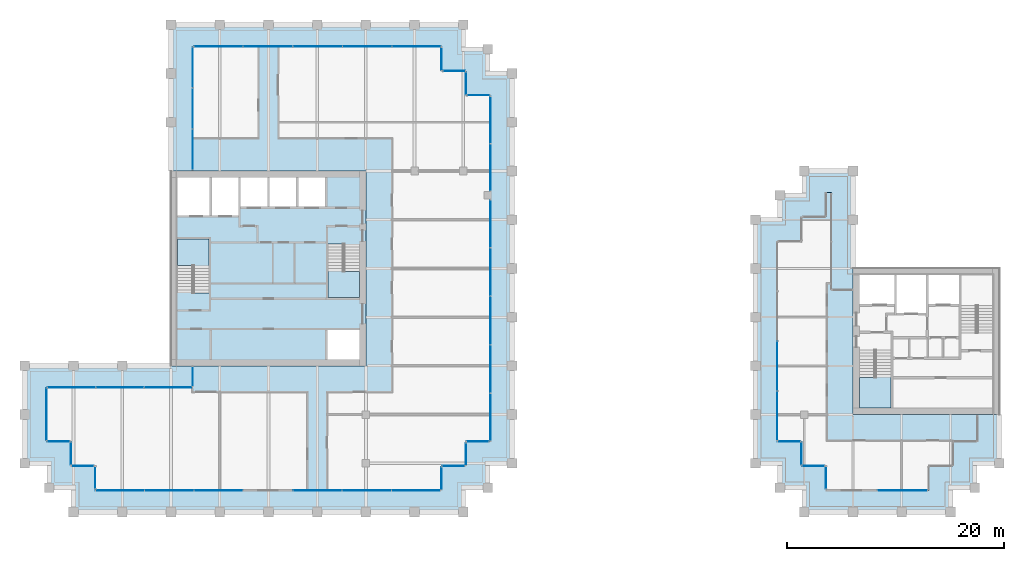
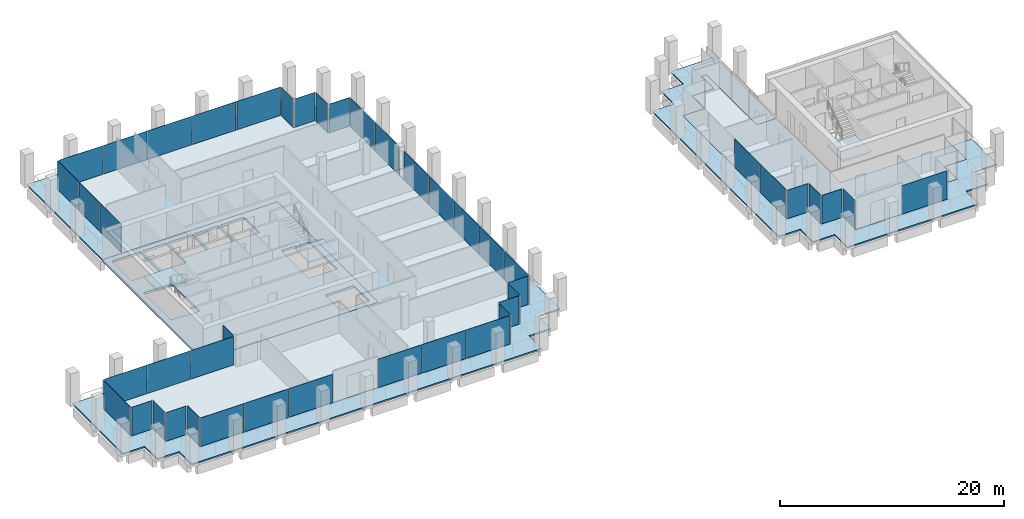
# One storey, part 34 of 40: 45 plates, 8 slabs, 30 elements without a shape of their own.
"""IFC4 building model written with IfcOpenShell, lengths in metres."""

from ifc_helpers import new_model, si_unit, direction, frame, origin, origin_2d, place, context, subcontext, project, spatial, polyline, rectangle, outline, extrude, material, layer, layer_set, type_object, element, aggregate, save


model = new_model("IFC4")

# Units and contexts
model_context = context("Model", 3, precision=1e-05, world=origin(), true_north=direction((0.0, 1.0)))
body_context = subcontext(model_context, "Body", "Model", "MODEL_VIEW")
ifc_project = project(units=[si_unit("LENGTHUNIT", "METRE"), si_unit("AREAUNIT", "SQUARE_METRE"), si_unit("VOLUMEUNIT", "CUBIC_METRE"), si_unit("PLANEANGLEUNIT", "RADIAN"), si_unit("MASSUNIT", "GRAM", prefix="KILO")], contexts=[model_context])

# Site, building, storey
site_placement = place(None, origin())
site = spatial("IfcSite", under=ifc_project, at=site_placement, CompositionType="ELEMENT")
building_placement = place(site_placement, origin())
building = spatial("IfcBuilding", under=site, at=building_placement, Name="Altepetl Exchange Towers", CompositionType="ELEMENT")
storey_placement = place(building_placement, frame((0.0, 0.0, 179.800048828125)))
storey = spatial("IfcBuildingStorey", under=building, at=storey_placement, Name="L45", CompositionType="ELEMENT", Elevation=179.800048828125)

# Slabs
ifc_material_1 = material(Name="Concrete C40/50", Category="concrete")
ifc_layer_1 = layer(ifc_material_1, 0.14990234375)
ifc_layer_set_1 = layer_set([ifc_layer_1], Name="Concrete C40/50")
slab_type_1 = type_object("IfcSlabType", Name="Composite floor slab 150", PredefinedType="FLOOR", material=ifc_layer_set_1)
slab_1_placement = place(storey_placement, frame((0.0, 0.0, -0.150146484375)))
element("IfcSlab", 1, at=slab_1_placement, inside=storey, type_object=slab_type_1, Name="slab:A:L45:strip0", PredefinedType="FLOOR", context=body_context, shape_type="SweptSolid", body=[
    extrude(outline(polyline([(42.5, 70.0), (42.5, 58.5), (58.5, 58.5), (58.5, 40.5), (42.5, 40.5), (42.5, 38.5), (29.0, 38.5), (29.0, 33.5), (31.25, 33.5), (31.25, 31.25), (33.5, 31.25), (33.5, 29.0), (65.5, 29.0), (65.5, 31.25), (67.75, 31.25), (67.75, 33.5), (70.0, 33.5), (70.0, 65.5), (67.75, 65.5), (67.75, 67.75), (65.5, 67.75), (65.5, 70.0), (42.5, 70.0)])), origin(), (0.0, 0.0, 1.0), 0.150146484375),
])
slab_2_placement = place(storey_placement, frame((0.0, 0.0, -0.150146484375)))
element("IfcSlab", 2, at=slab_2_placement, inside=storey, type_object=slab_type_1, Name="slab:B:L45:strip0", PredefinedType="FLOOR", context=body_context, shape_type="SweptSolid", body=[
    extrude(outline(polyline([(98.75, 31.25), (101.0, 31.25), (101.0, 29.0), (110.5, 29.0), (110.5, 31.25), (112.75, 31.25), (112.75, 33.5), (115.0, 33.5), (115.0, 36.0), (103.5, 36.0), (103.5, 47.5), (101.5, 47.5), (101.5, 56.5), (101.0, 56.5), (101.0, 54.25), (98.75, 54.25), (98.75, 52.0), (96.5, 52.0), (96.5, 33.5), (98.75, 33.5), (98.75, 31.25)])), origin(), (0.0, 0.0, 1.0), 0.150146484375),
])
ifc_layer_2 = layer(ifc_material_1, 0.25)
ifc_layer_set_2 = layer_set([ifc_layer_2], Name="Concrete C40/50")
slab_type_2 = type_object("IfcSlabType", Name="Core floor slab 250", PredefinedType="FLOOR", material=ifc_layer_set_2)
slab_3_placement = place(storey_placement, frame((0.0, 0.0, -0.25)))
element("IfcSlab", 3, at=slab_3_placement, inside=storey, type_object=slab_type_2, Name="slab:A:L45:core0", PredefinedType="FLOOR", context=body_context, shape_type="SweptSolid", body=[
    extrude(outline(polyline([(40.5, 40.5), (58.5, 40.5), (58.5, 58.5), (40.5, 58.5), (40.5, 40.5)]), holes=[polyline([(54.93310546875, 43.800048828125), (57.89990234375, 43.800048828125), (57.89990234375, 41.10009765625), (54.93310546875, 41.10009765625), (54.93310546875, 43.800048828125)]), polyline([(55.0, 51.7490234375), (56.5, 51.7490234375), (56.5, 51.64990234375), (57.89990234375, 51.64990234375), (57.89990234375, 46.800048828125), (55.0, 46.800048828125), (55.0, 51.7490234375)]), polyline([(44.0, 47.2509765625), (42.5, 47.2509765625), (42.5, 47.35009765625), (41.10009765625, 47.35009765625), (41.10009765625, 52.199951171875), (44.0, 52.199951171875), (44.0, 47.2509765625)]), polyline([(41.10009765625, 57.89990234375), (44.06689453125, 57.89990234375), (44.06689453125, 54.39990234375), (41.10009765625, 54.39990234375), (41.10009765625, 57.89990234375)]), polyline([(44.26708984375, 57.89990234375), (46.73291015625, 57.89990234375), (46.73291015625, 54.39990234375), (44.26708984375, 54.39990234375), (44.26708984375, 57.89990234375)]), polyline([(46.93310546875, 57.89990234375), (49.39990234375, 57.89990234375), (49.39990234375, 55.199951171875), (46.93310546875, 55.199951171875), (46.93310546875, 57.89990234375)]), polyline([(49.60009765625, 57.89990234375), (52.06689453125, 57.89990234375), (52.06689453125, 55.199951171875), (49.60009765625, 55.199951171875), (49.60009765625, 57.89990234375)]), polyline([(52.26708984375, 57.89990234375), (54.73291015625, 57.89990234375), (54.73291015625, 55.199951171875), (52.26708984375, 55.199951171875), (52.26708984375, 57.89990234375)])]), origin(), (0.0, 0.0, 1.0), 0.25),
])

# Curtain wall, plate
ifc_material_2 = material(Name="Aluminium 6063-T6 glazing", Category="aluminium")
curtain_wall_type = type_object("IfcCurtainWallType", Name="Loggia glazing system", PredefinedType="NOTDEFINED", material=ifc_material_2)
curtain_wall_1_placement = place(storey_placement, origin())
curtain_wall_1 = element("IfcCurtainWall", 4, at=curtain_wall_1_placement, inside=storey, type_object=curtain_wall_type, Name="CW1 run", PredefinedType="NOTDEFINED")
ifc_material_3 = material(Name="Glass 6-16-6 low emissivity", Category="glass")
ifc_layer_3 = layer(ifc_material_3, 0.028076171875)
ifc_layer_set_3 = layer_set([ifc_layer_3], Name="Glass 6-16-6 low emissivity")
plate_type = type_object("IfcPlateType", Name="Glass panel 28 double glazed", PredefinedType="CURTAIN_PANEL", material=ifc_layer_set_3)
plate_1_placement = place(storey_placement, frame((42.5, 39.53759765625, 0.0), z_axis=(0.0, 0.0, 1.0), x_axis=(0.0, -1.0, 0.0)))
plate_1 = element("IfcPlate", 5, at=plate_1_placement, type_object=plate_type, Name="GP1 panel", PredefinedType="CURTAIN_PANEL", context=body_context, shape_type="SweptSolid", body=[
    extrude(rectangle(XDim=1.804931640625, YDim=0.028076171875, at=origin_2d()), origin(), (0.0, 0.0, 1.0), 3.10009765625),
])
aggregate(curtain_wall_1, [plate_1])

# Curtain wall, plates
curtain_wall_2_placement = place(storey_placement, origin())
curtain_wall_2 = element("IfcCurtainWall", 6, at=curtain_wall_2_placement, inside=storey, type_object=curtain_wall_type, Name="CW1 run", PredefinedType="NOTDEFINED")
plate_2_placement = place(storey_placement, frame((40.24755859375, 38.5, 0.0), z_axis=(0.0, 0.0, 1.0), x_axis=(-1.0, 0.0, 0.0)))
plate_2 = element("IfcPlate", 7, at=plate_2_placement, type_object=plate_type, Name="GP1 panel", PredefinedType="CURTAIN_PANEL", context=body_context, shape_type="SweptSolid", body=[
    extrude(rectangle(XDim=4.385009765625, YDim=0.028076171875, at=origin_2d()), origin(), (0.0, 0.0, 1.0), 3.10009765625),
])
plate_3_placement = place(storey_placement, frame((35.78759765625, 38.5, 0.0), z_axis=(0.0, 0.0, 1.0), x_axis=(-1.0, 0.0, 0.0)))
plate_3 = element("IfcPlate", 8, at=plate_3_placement, type_object=plate_type, Name="GP1 panel", PredefinedType="CURTAIN_PANEL", context=body_context, shape_type="SweptSolid", body=[
    extrude(rectangle(XDim=4.4150390625, YDim=0.028076171875, at=origin_2d()), origin(), (0.0, 0.0, 1.0), 3.10009765625),
])
plate_4_placement = place(storey_placement, frame((31.327392578125, 38.5, 0.0), z_axis=(0.0, 0.0, 1.0), x_axis=(-1.0, 0.0, 0.0)))
plate_4 = element("IfcPlate", 9, at=plate_4_placement, type_object=plate_type, Name="GP1 panel", PredefinedType="CURTAIN_PANEL", context=body_context, shape_type="SweptSolid", body=[
    extrude(rectangle(XDim=4.385009765625, YDim=0.028076171875, at=origin_2d()), origin(), (0.0, 0.0, 1.0), 3.10009765625),
])
aggregate(curtain_wall_2, [plate_2, plate_3, plate_4])

# Curtain wall, plate
curtain_wall_3_placement = place(storey_placement, origin())
curtain_wall_3 = element("IfcCurtainWall", 10, at=curtain_wall_3_placement, inside=storey, type_object=curtain_wall_type, Name="CW1 run", PredefinedType="NOTDEFINED")
plate_5_placement = place(storey_placement, frame((29.0, 36.03759765625, 0.0), z_axis=(0.0, 0.0, 1.0), x_axis=(0.0, -1.0, 0.0)))
plate_5 = element("IfcPlate", 11, at=plate_5_placement, type_object=plate_type, Name="GP1 panel", PredefinedType="CURTAIN_PANEL", context=body_context, shape_type="SweptSolid", body=[
    extrude(rectangle(XDim=4.804931640625, YDim=0.028076171875, at=origin_2d()), origin(), (0.0, 0.0, 1.0), 3.10009765625),
])
aggregate(curtain_wall_3, [plate_5])

curtain_wall_4_placement = place(storey_placement, origin())
curtain_wall_4 = element("IfcCurtainWall", 12, at=curtain_wall_4_placement, inside=storey, type_object=curtain_wall_type, Name="CW1 run", PredefinedType="NOTDEFINED")
plate_6_placement = place(storey_placement, frame((30.08740234375, 33.5, 0.0)))
plate_6 = element("IfcPlate", 13, at=plate_6_placement, type_object=plate_type, Name="GP1 panel", PredefinedType="CURTAIN_PANEL", context=body_context, shape_type="SweptSolid", body=[
    extrude(rectangle(XDim=2.054931640625, YDim=0.028076171875, at=origin_2d()), origin(), (0.0, 0.0, 1.0), 3.10009765625),
])
aggregate(curtain_wall_4, [plate_6])

curtain_wall_5_placement = place(storey_placement, origin())
curtain_wall_5 = element("IfcCurtainWall", 14, at=curtain_wall_5_placement, inside=storey, type_object=curtain_wall_type, Name="CW1 run", PredefinedType="NOTDEFINED")
plate_7_placement = place(storey_placement, frame((31.25, 32.41259765625, 0.0), z_axis=(0.0, 0.0, 1.0), x_axis=(0.0, -1.0, 0.0)))
plate_7 = element("IfcPlate", 15, at=plate_7_placement, type_object=plate_type, Name="GP1 panel", PredefinedType="CURTAIN_PANEL", context=body_context, shape_type="SweptSolid", body=[
    extrude(rectangle(XDim=2.054931640625, YDim=0.028076171875, at=origin_2d()), origin(), (0.0, 0.0, 1.0), 3.10009765625),
])
aggregate(curtain_wall_5, [plate_7])

curtain_wall_6_placement = place(storey_placement, origin())
curtain_wall_6 = element("IfcCurtainWall", 16, at=curtain_wall_6_placement, inside=storey, type_object=curtain_wall_type, Name="CW1 run", PredefinedType="NOTDEFINED")
plate_8_placement = place(storey_placement, frame((32.33740234375, 31.25, 0.0)))
plate_8 = element("IfcPlate", 17, at=plate_8_placement, type_object=plate_type, Name="GP1 panel", PredefinedType="CURTAIN_PANEL", context=body_context, shape_type="SweptSolid", body=[
    extrude(rectangle(XDim=2.054931640625, YDim=0.028076171875, at=origin_2d()), origin(), (0.0, 0.0, 1.0), 3.10009765625),
])
aggregate(curtain_wall_6, [plate_8])

curtain_wall_7_placement = place(storey_placement, origin())
curtain_wall_7 = element("IfcCurtainWall", 18, at=curtain_wall_7_placement, inside=storey, type_object=curtain_wall_type, Name="CW1 run", PredefinedType="NOTDEFINED")
plate_9_placement = place(storey_placement, frame((33.5, 30.16259765625, 0.0), z_axis=(0.0, 0.0, 1.0), x_axis=(0.0, -1.0, 0.0)))
plate_9 = element("IfcPlate", 19, at=plate_9_placement, type_object=plate_type, Name="GP1 panel", PredefinedType="CURTAIN_PANEL", context=body_context, shape_type="SweptSolid", body=[
    extrude(rectangle(XDim=2.054931640625, YDim=0.028076171875, at=origin_2d()), origin(), (0.0, 0.0, 1.0), 3.10009765625),
])
aggregate(curtain_wall_7, [plate_9])

# Curtain wall, plates
curtain_wall_8_placement = place(storey_placement, origin())
curtain_wall_8 = element("IfcCurtainWall", 20, at=curtain_wall_8_placement, inside=storey, type_object=curtain_wall_type, Name="CW1 run", PredefinedType="NOTDEFINED")
plate_10_placement = place(storey_placement, frame((35.79541015625, 29.0, 0.0)))
plate_10 = element("IfcPlate", 21, at=plate_10_placement, type_object=plate_type, Name="GP1 panel", PredefinedType="CURTAIN_PANEL", context=body_context, shape_type="SweptSolid", body=[
    extrude(rectangle(XDim=4.470703125, YDim=0.028076171875, at=origin_2d()), origin(), (0.0, 0.0, 1.0), 3.10009765625),
])
plate_11_placement = place(storey_placement, frame((40.341064453125, 29.0, 0.0)))
plate_11 = element("IfcPlate", 22, at=plate_11_placement, type_object=plate_type, Name="GP1 panel", PredefinedType="CURTAIN_PANEL", context=body_context, shape_type="SweptSolid", body=[
    extrude(rectangle(XDim=4.500732421875, YDim=0.028076171875, at=origin_2d()), origin(), (0.0, 0.0, 1.0), 3.10009765625),
])
plate_12_placement = place(storey_placement, frame((44.88671875, 29.0, 0.0)))
plate_12 = element("IfcPlate", 23, at=plate_12_placement, type_object=plate_type, Name="GP1 panel", PredefinedType="CURTAIN_PANEL", context=body_context, shape_type="SweptSolid", body=[
    extrude(rectangle(XDim=4.470703125, YDim=0.028076171875, at=origin_2d()), origin(), (0.0, 0.0, 1.0), 3.10009765625),
])
aggregate(curtain_wall_8, [plate_10, plate_11, plate_12])

curtain_wall_9_placement = place(storey_placement, origin())
curtain_wall_9 = element("IfcCurtainWall", 24, at=curtain_wall_9_placement, inside=storey, type_object=curtain_wall_type, Name="CW1 run", PredefinedType="NOTDEFINED")
plate_13_placement = place(storey_placement, frame((54.038330078125, 29.0, 0.0)))
plate_13 = element("IfcPlate", 25, at=plate_13_placement, type_object=plate_type, Name="GP1 panel", PredefinedType="CURTAIN_PANEL", context=body_context, shape_type="SweptSolid", body=[
    extrude(rectangle(XDim=4.470703125, YDim=0.028076171875, at=origin_2d()), origin(), (0.0, 0.0, 1.0), 3.10009765625),
])
plate_14_placement = place(storey_placement, frame((58.583984375, 29.0, 0.0)))
plate_14 = element("IfcPlate", 26, at=plate_14_placement, type_object=plate_type, Name="GP1 panel", PredefinedType="CURTAIN_PANEL", context=body_context, shape_type="SweptSolid", body=[
    extrude(rectangle(XDim=4.500732421875, YDim=0.028076171875, at=origin_2d()), origin(), (0.0, 0.0, 1.0), 3.10009765625),
])
plate_15_placement = place(storey_placement, frame((63.129638671875, 29.0, 0.0)))
plate_15 = element("IfcPlate", 27, at=plate_15_placement, type_object=plate_type, Name="GP1 panel", PredefinedType="CURTAIN_PANEL", context=body_context, shape_type="SweptSolid", body=[
    extrude(rectangle(XDim=4.470703125, YDim=0.028076171875, at=origin_2d()), origin(), (0.0, 0.0, 1.0), 3.10009765625),
])
aggregate(curtain_wall_9, [plate_13, plate_14, plate_15])

# Curtain wall, plate
curtain_wall_10_placement = place(storey_placement, origin())
curtain_wall_10 = element("IfcCurtainWall", 28, at=curtain_wall_10_placement, inside=storey, type_object=curtain_wall_type, Name="CW1 run", PredefinedType="NOTDEFINED")
plate_16_placement = place(storey_placement, frame((65.5, 30.08740234375, 0.0), z_axis=(0.0, 0.0, 1.0), x_axis=(0.0, 1.0, 0.0)))
plate_16 = element("IfcPlate", 29, at=plate_16_placement, type_object=plate_type, Name="GP1 panel", PredefinedType="CURTAIN_PANEL", context=body_context, shape_type="SweptSolid", body=[
    extrude(rectangle(XDim=2.054931640625, YDim=0.028076171875, at=origin_2d()), origin(), (0.0, 0.0, 1.0), 3.10009765625),
])
aggregate(curtain_wall_10, [plate_16])

curtain_wall_11_placement = place(storey_placement, origin())
curtain_wall_11 = element("IfcCurtainWall", 30, at=curtain_wall_11_placement, inside=storey, type_object=curtain_wall_type, Name="CW1 run", PredefinedType="NOTDEFINED")
plate_17_placement = place(storey_placement, frame((66.58740234375, 31.25, 0.0)))
plate_17 = element("IfcPlate", 31, at=plate_17_placement, type_object=plate_type, Name="GP1 panel", PredefinedType="CURTAIN_PANEL", context=body_context, shape_type="SweptSolid", body=[
    extrude(rectangle(XDim=2.054931640625, YDim=0.028076171875, at=origin_2d()), origin(), (0.0, 0.0, 1.0), 3.10009765625),
])
aggregate(curtain_wall_11, [plate_17])

curtain_wall_12_placement = place(storey_placement, origin())
curtain_wall_12 = element("IfcCurtainWall", 32, at=curtain_wall_12_placement, inside=storey, type_object=curtain_wall_type, Name="CW1 run", PredefinedType="NOTDEFINED")
plate_18_placement = place(storey_placement, frame((67.75, 32.33740234375, 0.0), z_axis=(0.0, 0.0, 1.0), x_axis=(0.0, 1.0, 0.0)))
plate_18 = element("IfcPlate", 33, at=plate_18_placement, type_object=plate_type, Name="GP1 panel", PredefinedType="CURTAIN_PANEL", context=body_context, shape_type="SweptSolid", body=[
    extrude(rectangle(XDim=2.054931640625, YDim=0.028076171875, at=origin_2d()), origin(), (0.0, 0.0, 1.0), 3.10009765625),
])
aggregate(curtain_wall_12, [plate_18])

curtain_wall_13_placement = place(storey_placement, origin())
curtain_wall_13 = element("IfcCurtainWall", 34, at=curtain_wall_13_placement, inside=storey, type_object=curtain_wall_type, Name="CW1 run", PredefinedType="NOTDEFINED")
plate_19_placement = place(storey_placement, frame((68.83740234375, 33.5, 0.0)))
plate_19 = element("IfcPlate", 35, at=plate_19_placement, type_object=plate_type, Name="GP1 panel", PredefinedType="CURTAIN_PANEL", context=body_context, shape_type="SweptSolid", body=[
    extrude(rectangle(XDim=2.054931640625, YDim=0.028076171875, at=origin_2d()), origin(), (0.0, 0.0, 1.0), 3.10009765625),
])
aggregate(curtain_wall_13, [plate_19])

# Curtain wall, plates
curtain_wall_14_placement = place(storey_placement, origin())
curtain_wall_14 = element("IfcCurtainWall", 36, at=curtain_wall_14_placement, inside=storey, type_object=curtain_wall_type, Name="CW1 run", PredefinedType="NOTDEFINED")
plate_20_placement = place(storey_placement, frame((70.0, 35.7529296875, 0.0), z_axis=(0.0, 0.0, 1.0), x_axis=(0.0, 1.0, 0.0)))
plate_20 = element("IfcPlate", 37, at=plate_20_placement, type_object=plate_type, Name="GP1 panel", PredefinedType="CURTAIN_PANEL", context=body_context, shape_type="SweptSolid", body=[
    extrude(rectangle(XDim=4.385986328125, YDim=0.028076171875, at=origin_2d()), origin(), (0.0, 0.0, 1.0), 3.10009765625),
])
plate_21_placement = place(storey_placement, frame((70.0, 40.214111328125, 0.0), z_axis=(0.0, 0.0, 1.0), x_axis=(0.0, 1.0, 0.0)))
plate_21 = element("IfcPlate", 38, at=plate_21_placement, type_object=plate_type, Name="GP1 panel", PredefinedType="CURTAIN_PANEL", context=body_context, shape_type="SweptSolid", body=[
    extrude(rectangle(XDim=4.416015625, YDim=0.028076171875, at=origin_2d()), origin(), (0.0, 0.0, 1.0), 3.10009765625),
])
plate_22_placement = place(storey_placement, frame((70.0, 44.68994140625, 0.0), z_axis=(0.0, 0.0, 1.0), x_axis=(0.0, 1.0, 0.0)))
plate_22 = element("IfcPlate", 39, at=plate_22_placement, type_object=plate_type, Name="GP1 panel", PredefinedType="CURTAIN_PANEL", context=body_context, shape_type="SweptSolid", body=[
    extrude(rectangle(XDim=4.416015625, YDim=0.028076171875, at=origin_2d()), origin(), (0.0, 0.0, 1.0), 3.10009765625),
])
plate_23_placement = place(storey_placement, frame((70.0, 49.166015625, 0.0), z_axis=(0.0, 0.0, 1.0), x_axis=(0.0, 1.0, 0.0)))
plate_23 = element("IfcPlate", 40, at=plate_23_placement, type_object=plate_type, Name="GP1 panel", PredefinedType="CURTAIN_PANEL", context=body_context, shape_type="SweptSolid", body=[
    extrude(rectangle(XDim=4.416015625, YDim=0.028076171875, at=origin_2d()), origin(), (0.0, 0.0, 1.0), 3.10009765625),
])
plate_24_placement = place(storey_placement, frame((70.0, 53.626953125, 0.0), z_axis=(0.0, 0.0, 1.0), x_axis=(0.0, 1.0, 0.0)))
plate_24 = element("IfcPlate", 41, at=plate_24_placement, type_object=plate_type, Name="GP1 panel", PredefinedType="CURTAIN_PANEL", context=body_context, shape_type="SweptSolid", body=[
    extrude(rectangle(XDim=4.385986328125, YDim=0.028076171875, at=origin_2d()), origin(), (0.0, 0.0, 1.0), 3.10009765625),
])
aggregate(curtain_wall_14, [plate_20, plate_21, plate_22, plate_23, plate_24])

curtain_wall_15_placement = place(storey_placement, origin())
curtain_wall_15 = element("IfcCurtainWall", 42, at=curtain_wall_15_placement, inside=storey, type_object=curtain_wall_type, Name="CW1 run", PredefinedType="NOTDEFINED")
plate_25_placement = place(storey_placement, frame((70.0, 58.836181640625, 0.0), z_axis=(0.0, 0.0, 1.0), x_axis=(0.0, 1.0, 0.0)))
plate_25 = element("IfcPlate", 43, at=plate_25_placement, type_object=plate_type, Name="GP1 panel", PredefinedType="CURTAIN_PANEL", context=body_context, shape_type="SweptSolid", body=[
    extrude(rectangle(XDim=4.3125, YDim=0.028076171875, at=origin_2d()), origin(), (0.0, 0.0, 1.0), 3.10009765625),
])
plate_26_placement = place(storey_placement, frame((70.0, 63.208740234375, 0.0), z_axis=(0.0, 0.0, 1.0), x_axis=(0.0, 1.0, 0.0)))
plate_26 = element("IfcPlate", 44, at=plate_26_placement, type_object=plate_type, Name="GP1 panel", PredefinedType="CURTAIN_PANEL", context=body_context, shape_type="SweptSolid", body=[
    extrude(rectangle(XDim=4.3125, YDim=0.028076171875, at=origin_2d()), origin(), (0.0, 0.0, 1.0), 3.10009765625),
])
aggregate(curtain_wall_15, [plate_25, plate_26])

# Curtain wall, plate
curtain_wall_16_placement = place(storey_placement, origin())
curtain_wall_16 = element("IfcCurtainWall", 45, at=curtain_wall_16_placement, inside=storey, type_object=curtain_wall_type, Name="CW1 run", PredefinedType="NOTDEFINED")
plate_27_placement = place(storey_placement, frame((68.91259765625, 65.5, 0.0), z_axis=(0.0, 0.0, 1.0), x_axis=(-1.0, 0.0, 0.0)))
plate_27 = element("IfcPlate", 46, at=plate_27_placement, type_object=plate_type, Name="GP1 panel", PredefinedType="CURTAIN_PANEL", context=body_context, shape_type="SweptSolid", body=[
    extrude(rectangle(XDim=2.054931640625, YDim=0.028076171875, at=origin_2d()), origin(), (0.0, 0.0, 1.0), 3.10009765625),
])
aggregate(curtain_wall_16, [plate_27])

curtain_wall_17_placement = place(storey_placement, origin())
curtain_wall_17 = element("IfcCurtainWall", 47, at=curtain_wall_17_placement, inside=storey, type_object=curtain_wall_type, Name="CW1 run", PredefinedType="NOTDEFINED")
plate_28_placement = place(storey_placement, frame((67.75, 66.58740234375, 0.0), z_axis=(0.0, 0.0, 1.0), x_axis=(0.0, 1.0, 0.0)))
plate_28 = element("IfcPlate", 48, at=plate_28_placement, type_object=plate_type, Name="GP1 panel", PredefinedType="CURTAIN_PANEL", context=body_context, shape_type="SweptSolid", body=[
    extrude(rectangle(XDim=2.054931640625, YDim=0.028076171875, at=origin_2d()), origin(), (0.0, 0.0, 1.0), 3.10009765625),
])
aggregate(curtain_wall_17, [plate_28])

curtain_wall_18_placement = place(storey_placement, origin())
curtain_wall_18 = element("IfcCurtainWall", 49, at=curtain_wall_18_placement, inside=storey, type_object=curtain_wall_type, Name="CW1 run", PredefinedType="NOTDEFINED")
plate_29_placement = place(storey_placement, frame((66.66259765625, 67.75, 0.0), z_axis=(0.0, 0.0, 1.0), x_axis=(-1.0, 0.0, 0.0)))
plate_29 = element("IfcPlate", 50, at=plate_29_placement, type_object=plate_type, Name="GP1 panel", PredefinedType="CURTAIN_PANEL", context=body_context, shape_type="SweptSolid", body=[
    extrude(rectangle(XDim=2.054931640625, YDim=0.028076171875, at=origin_2d()), origin(), (0.0, 0.0, 1.0), 3.10009765625),
])
aggregate(curtain_wall_18, [plate_29])

curtain_wall_19_placement = place(storey_placement, origin())
curtain_wall_19 = element("IfcCurtainWall", 51, at=curtain_wall_19_placement, inside=storey, type_object=curtain_wall_type, Name="CW1 run", PredefinedType="NOTDEFINED")
plate_30_placement = place(storey_placement, frame((65.5, 68.83740234375, 0.0), z_axis=(0.0, 0.0, 1.0), x_axis=(0.0, 1.0, 0.0)))
plate_30 = element("IfcPlate", 52, at=plate_30_placement, type_object=plate_type, Name="GP1 panel", PredefinedType="CURTAIN_PANEL", context=body_context, shape_type="SweptSolid", body=[
    extrude(rectangle(XDim=2.054931640625, YDim=0.028076171875, at=origin_2d()), origin(), (0.0, 0.0, 1.0), 3.10009765625),
])
aggregate(curtain_wall_19, [plate_30])

# Curtain wall, plates
curtain_wall_20_placement = place(storey_placement, origin())
curtain_wall_20 = element("IfcCurtainWall", 53, at=curtain_wall_20_placement, inside=storey, type_object=curtain_wall_type, Name="CW1 run", PredefinedType="NOTDEFINED")
plate_31_placement = place(storey_placement, frame((63.1923828125, 70.0, 0.0), z_axis=(0.0, 0.0, 1.0), x_axis=(-1.0, 0.0, 0.0)))
plate_31 = element("IfcPlate", 54, at=plate_31_placement, type_object=plate_type, Name="GP1 panel", PredefinedType="CURTAIN_PANEL", context=body_context, shape_type="SweptSolid", body=[
    extrude(rectangle(XDim=4.4951171875, YDim=0.028076171875, at=origin_2d()), origin(), (0.0, 0.0, 1.0), 3.10009765625),
])
plate_32_placement = place(storey_placement, frame((58.62255859375, 70.0, 0.0), z_axis=(0.0, 0.0, 1.0), x_axis=(-1.0, 0.0, 0.0)))
plate_32 = element("IfcPlate", 55, at=plate_32_placement, type_object=plate_type, Name="GP1 panel", PredefinedType="CURTAIN_PANEL", context=body_context, shape_type="SweptSolid", body=[
    extrude(rectangle(XDim=4.52490234375, YDim=0.028076171875, at=origin_2d()), origin(), (0.0, 0.0, 1.0), 3.10009765625),
])
plate_33_placement = place(storey_placement, frame((54.03759765625, 70.0, 0.0), z_axis=(0.0, 0.0, 1.0), x_axis=(-1.0, 0.0, 0.0)))
plate_33 = element("IfcPlate", 56, at=plate_33_placement, type_object=plate_type, Name="GP1 panel", PredefinedType="CURTAIN_PANEL", context=body_context, shape_type="SweptSolid", body=[
    extrude(rectangle(XDim=4.52490234375, YDim=0.028076171875, at=origin_2d()), origin(), (0.0, 0.0, 1.0), 3.10009765625),
])
plate_34_placement = place(storey_placement, frame((49.452392578125, 70.0, 0.0), z_axis=(0.0, 0.0, 1.0), x_axis=(-1.0, 0.0, 0.0)))
plate_34 = element("IfcPlate", 57, at=plate_34_placement, type_object=plate_type, Name="GP1 panel", PredefinedType="CURTAIN_PANEL", context=body_context, shape_type="SweptSolid", body=[
    extrude(rectangle(XDim=4.52490234375, YDim=0.028076171875, at=origin_2d()), origin(), (0.0, 0.0, 1.0), 3.10009765625),
])
plate_35_placement = place(storey_placement, frame((44.882568359375, 70.0, 0.0), z_axis=(0.0, 0.0, 1.0), x_axis=(-1.0, 0.0, 0.0)))
plate_35 = element("IfcPlate", 58, at=plate_35_placement, type_object=plate_type, Name="GP1 panel", PredefinedType="CURTAIN_PANEL", context=body_context, shape_type="SweptSolid", body=[
    extrude(rectangle(XDim=4.4951171875, YDim=0.028076171875, at=origin_2d()), origin(), (0.0, 0.0, 1.0), 3.10009765625),
])
aggregate(curtain_wall_20, [plate_31, plate_32, plate_33, plate_34, plate_35])

curtain_wall_21_placement = place(storey_placement, origin())
curtain_wall_21 = element("IfcCurtainWall", 59, at=curtain_wall_21_placement, inside=storey, type_object=curtain_wall_type, Name="CW1 run", PredefinedType="NOTDEFINED")
plate_36_placement = place(storey_placement, frame((42.5, 68.080810546875, 0.0), z_axis=(0.0, 0.0, 1.0), x_axis=(0.0, -1.0, 0.0)))
plate_36 = element("IfcPlate", 60, at=plate_36_placement, type_object=plate_type, Name="GP1 panel", PredefinedType="CURTAIN_PANEL", context=body_context, shape_type="SweptSolid", body=[
    extrude(rectangle(XDim=3.71826171875, YDim=0.028076171875, at=origin_2d()), origin(), (0.0, 0.0, 1.0), 3.10009765625),
])
plate_37_placement = place(storey_placement, frame((42.5, 64.28759765625, 0.0), z_axis=(0.0, 0.0, 1.0), x_axis=(0.0, -1.0, 0.0)))
plate_37 = element("IfcPlate", 61, at=plate_37_placement, type_object=plate_type, Name="GP1 panel", PredefinedType="CURTAIN_PANEL", context=body_context, shape_type="SweptSolid", body=[
    extrude(rectangle(XDim=3.748291015625, YDim=0.028076171875, at=origin_2d()), origin(), (0.0, 0.0, 1.0), 3.10009765625),
])
plate_38_placement = place(storey_placement, frame((42.5, 60.494140625, 0.0), z_axis=(0.0, 0.0, 1.0), x_axis=(0.0, -1.0, 0.0)))
plate_38 = element("IfcPlate", 62, at=plate_38_placement, type_object=plate_type, Name="GP1 panel", PredefinedType="CURTAIN_PANEL", context=body_context, shape_type="SweptSolid", body=[
    extrude(rectangle(XDim=3.71826171875, YDim=0.028076171875, at=origin_2d()), origin(), (0.0, 0.0, 1.0), 3.10009765625),
])
aggregate(curtain_wall_21, [plate_36, plate_37, plate_38])

# Curtain wall, plate
curtain_wall_22_placement = place(storey_placement, origin())
curtain_wall_22 = element("IfcCurtainWall", 63, at=curtain_wall_22_placement, inside=storey, type_object=curtain_wall_type, Name="CW1 run", PredefinedType="NOTDEFINED")
plate_39_placement = place(storey_placement, frame((101.0, 30.16259765625, 0.0), z_axis=(0.0, 0.0, 1.0), x_axis=(0.0, -1.0, 0.0)))
plate_39 = element("IfcPlate", 64, at=plate_39_placement, type_object=plate_type, Name="GP1 panel", PredefinedType="CURTAIN_PANEL", context=body_context, shape_type="SweptSolid", body=[
    extrude(rectangle(XDim=2.054931640625, YDim=0.028076171875, at=origin_2d()), origin(), (0.0, 0.0, 1.0), 3.10009765625),
])
aggregate(curtain_wall_22, [plate_39])

curtain_wall_23_placement = place(storey_placement, origin())
curtain_wall_23 = element("IfcCurtainWall", 65, at=curtain_wall_23_placement, inside=storey, type_object=curtain_wall_type, Name="CW1 run", PredefinedType="NOTDEFINED")
plate_40_placement = place(storey_placement, frame((108.06884765625, 29.0, 0.0)))
plate_40 = element("IfcPlate", 66, at=plate_40_placement, type_object=plate_type, Name="GP1 panel", PredefinedType="CURTAIN_PANEL", context=body_context, shape_type="SweptSolid", body=[
    extrude(rectangle(XDim=4.592529296875, YDim=0.028076171875, at=origin_2d()), origin(), (0.0, 0.0, 1.0), 3.10009765625),
])
aggregate(curtain_wall_23, [plate_40])

# Curtain wall, plates
curtain_wall_24_placement = place(storey_placement, origin())
curtain_wall_24 = element("IfcCurtainWall", 67, at=curtain_wall_24_placement, inside=storey, type_object=curtain_wall_type, Name="CW1 run", PredefinedType="NOTDEFINED")
plate_41_placement = place(storey_placement, frame((96.5, 40.484375, 0.0), z_axis=(0.0, 0.0, 1.0), x_axis=(0.0, -1.0, 0.0)))
plate_41 = element("IfcPlate", 68, at=plate_41_placement, type_object=plate_type, Name="GP1 panel", PredefinedType="CURTAIN_PANEL", context=body_context, shape_type="SweptSolid", body=[
    extrude(rectangle(XDim=4.546142578125, YDim=0.028076171875, at=origin_2d()), origin(), (0.0, 0.0, 1.0), 3.10009765625),
])
plate_42_placement = place(storey_placement, frame((96.5, 35.89306640625, 0.0), z_axis=(0.0, 0.0, 1.0), x_axis=(0.0, -1.0, 0.0)))
plate_42 = element("IfcPlate", 69, at=plate_42_placement, type_object=plate_type, Name="GP1 panel", PredefinedType="CURTAIN_PANEL", context=body_context, shape_type="SweptSolid", body=[
    extrude(rectangle(XDim=4.516357421875, YDim=0.028076171875, at=origin_2d()), origin(), (0.0, 0.0, 1.0), 3.10009765625),
])
aggregate(curtain_wall_24, [plate_41, plate_42])

# Curtain wall, plate
curtain_wall_25_placement = place(storey_placement, origin())
curtain_wall_25 = element("IfcCurtainWall", 70, at=curtain_wall_25_placement, inside=storey, type_object=curtain_wall_type, Name="CW1 run", PredefinedType="NOTDEFINED")
plate_43_placement = place(storey_placement, frame((97.58740234375, 33.5, 0.0)))
plate_43 = element("IfcPlate", 71, at=plate_43_placement, type_object=plate_type, Name="GP1 panel", PredefinedType="CURTAIN_PANEL", context=body_context, shape_type="SweptSolid", body=[
    extrude(rectangle(XDim=2.054931640625, YDim=0.028076171875, at=origin_2d()), origin(), (0.0, 0.0, 1.0), 3.10009765625),
])
aggregate(curtain_wall_25, [plate_43])

curtain_wall_26_placement = place(storey_placement, origin())
curtain_wall_26 = element("IfcCurtainWall", 72, at=curtain_wall_26_placement, inside=storey, type_object=curtain_wall_type, Name="CW1 run", PredefinedType="NOTDEFINED")
plate_44_placement = place(storey_placement, frame((98.75, 32.41259765625, 0.0), z_axis=(0.0, 0.0, 1.0), x_axis=(0.0, -1.0, 0.0)))
plate_44 = element("IfcPlate", 73, at=plate_44_placement, type_object=plate_type, Name="GP1 panel", PredefinedType="CURTAIN_PANEL", context=body_context, shape_type="SweptSolid", body=[
    extrude(rectangle(XDim=2.054931640625, YDim=0.028076171875, at=origin_2d()), origin(), (0.0, 0.0, 1.0), 3.10009765625),
])
aggregate(curtain_wall_26, [plate_44])

curtain_wall_27_placement = place(storey_placement, origin())
curtain_wall_27 = element("IfcCurtainWall", 74, at=curtain_wall_27_placement, inside=storey, type_object=curtain_wall_type, Name="CW1 run", PredefinedType="NOTDEFINED")
plate_45_placement = place(storey_placement, frame((99.83740234375, 31.25, 0.0)))
plate_45 = element("IfcPlate", 75, at=plate_45_placement, type_object=plate_type, Name="GP1 panel", PredefinedType="CURTAIN_PANEL", context=body_context, shape_type="SweptSolid", body=[
    extrude(rectangle(XDim=2.054931640625, YDim=0.028076171875, at=origin_2d()), origin(), (0.0, 0.0, 1.0), 3.10009765625),
])
aggregate(curtain_wall_27, [plate_45])

# Slabs
ifc_layer_4 = layer(ifc_material_1, 0.14990234375)
ifc_layer_set_4 = layer_set([ifc_layer_4], Name="Concrete C40/50")
slab_type_3 = type_object("IfcSlabType", Name="Loggia slab 150", PredefinedType="FLOOR", material=ifc_layer_set_4)
slab_4_placement = place(storey_placement, frame((0.0, 0.0, -0.150146484375)))
element("IfcSlab", 76, at=slab_4_placement, inside=storey, type_object=slab_type_3, Name="slab:A:L45:loggia0", PredefinedType="FLOOR", context=body_context, shape_type="SweptSolid", body=[
    extrude(outline(polyline([(40.5, 72.0), (40.5, 58.5), (42.5, 58.5), (42.5, 70.0), (65.5, 70.0), (65.5, 67.75), (67.75, 67.75), (67.75, 65.5), (70.0, 65.5), (70.0, 33.5), (67.75, 33.5), (67.75, 31.25), (65.5, 31.25), (65.5, 29.0), (33.5, 29.0), (33.5, 31.25), (31.25, 31.25), (31.25, 33.5), (29.0, 33.5), (29.0, 38.5), (42.5, 38.5), (42.5, 40.5), (40.5, 40.5), (27.0, 40.5), (27.0, 31.5), (29.25, 31.5), (29.25, 29.25), (31.5, 29.25), (31.5, 27.0), (58.5, 27.0), (67.5, 27.0), (67.5, 29.25), (69.75, 29.25), (69.75, 31.5), (72.0, 31.5), (72.0, 58.5), (72.0, 67.5), (69.75, 67.5), (69.75, 69.75), (67.5, 69.75), (67.5, 72.0), (40.5, 72.0)])), origin(), (0.0, 0.0, 1.0), 0.150146484375),
])
slab_5_placement = place(storey_placement, frame((0.0, 0.0, -0.150146484375)))
element("IfcSlab", 77, at=slab_5_placement, inside=storey, type_object=slab_type_3, Name="slab:B:L45:loggia0", PredefinedType="FLOOR", context=body_context, shape_type="SweptSolid", body=[
    extrude(outline(polyline([(99.0, 29.25), (99.0, 27.0), (112.5, 27.0), (112.5, 29.25), (114.75, 29.25), (114.75, 31.5), (117.0, 31.5), (117.0, 36.0), (115.0, 36.0), (115.0, 33.5), (112.75, 33.5), (112.75, 31.25), (110.5, 31.25), (110.5, 29.0), (101.0, 29.0), (101.0, 31.25), (98.75, 31.25), (98.75, 33.5), (96.5, 33.5), (96.5, 52.0), (98.75, 52.0), (98.75, 54.25), (101.0, 54.25), (101.0, 56.5), (101.5, 56.5), (101.5, 47.5), (103.5, 47.5), (103.5, 49.5), (103.5, 58.5), (99.0, 58.5), (99.0, 56.25), (96.75, 56.25), (96.75, 54.0), (94.5, 54.0), (94.5, 36.0), (94.5, 31.5), (96.75, 31.5), (96.75, 29.25), (99.0, 29.25)])), origin(), (0.0, 0.0, 1.0), 0.150146484375),
])

# Stair, slab
stair_type = type_object("IfcStairType", Name="Exit stair 1400 flights dogleg", PredefinedType="HALF_TURN_STAIR", material=ifc_material_1)
stair_1_placement = place(storey_placement, origin())
stair_1 = element("IfcStair", 78, at=stair_1_placement, inside=storey, type_object=stair_type, Name="Exit stair 1", PredefinedType="HALF_TURN_STAIR")
ifc_layer_5 = layer(ifc_material_1, 0.199951171875)
ifc_layer_set_5 = layer_set([ifc_layer_5], Name="Concrete C40/50")
slab_type_4 = type_object("IfcSlabType", Name="Stair landing 200 reinforced concrete", PredefinedType="LANDING", material=ifc_layer_set_5)
slab_6_placement = place(storey_placement, frame((0.0, 0.0, 1.599853515625)))
slab_6 = element("IfcSlab", 79, at=slab_6_placement, type_object=slab_type_4, Name="ST-A1e landing 1", PredefinedType="LANDING", context=body_context, shape_type="SweptSolid", body=[
    extrude(outline(polyline([(44.0, 49.669921875), (42.60009765625, 49.669921875), (42.60009765625, 49.77001953125), (42.5, 49.77001953125), (42.5, 49.769287109375), (41.10009765625, 49.769287109375), (41.10009765625, 49.77001953125), (41.10009765625, 52.199951171875), (44.0, 52.199951171875), (44.0, 49.77001953125), (44.0, 49.669921875)])), origin(), (0.0, 0.0, 1.0), 0.2001953125),
])
aggregate(stair_1, [slab_6])

stair_2_placement = place(storey_placement, origin())
stair_2 = element("IfcStair", 80, at=stair_2_placement, inside=storey, type_object=stair_type, Name="Exit stair 2", PredefinedType="HALF_TURN_STAIR")
slab_7_placement = place(storey_placement, frame((0.0, 0.0, 1.599853515625)))
slab_7 = element("IfcSlab", 81, at=slab_7_placement, type_object=slab_type_4, Name="ST-A2e landing 1", PredefinedType="LANDING", context=body_context, shape_type="SweptSolid", body=[
    extrude(outline(polyline([(57.89990234375, 46.800048828125), (55.0, 46.800048828125), (55.0, 49.22998046875), (55.0, 49.330078125), (56.39990234375, 49.330078125), (56.39990234375, 49.22998046875), (56.5, 49.22998046875), (56.5, 49.230712890625), (57.89990234375, 49.230712890625), (57.89990234375, 49.22998046875), (57.89990234375, 46.800048828125)])), origin(), (0.0, 0.0, 1.0), 0.2001953125),
])
aggregate(stair_2, [slab_7])

stair_3_placement = place(storey_placement, origin())
stair_3 = element("IfcStair", 82, at=stair_3_placement, inside=storey, type_object=stair_type, Name="Exit stair 1", PredefinedType="HALF_TURN_STAIR")
slab_8_placement = place(storey_placement, frame((0.0, 0.0, 1.599853515625)))
slab_8 = element("IfcSlab", 83, at=slab_8_placement, type_object=slab_type_4, Name="ST-B1e landing 1", PredefinedType="LANDING", context=body_context, shape_type="SweptSolid", body=[
    extrude(outline(polyline([(107.0, 36.60009765625), (104.10009765625, 36.60009765625), (104.10009765625, 39.429931640625), (104.10009765625, 39.4306640625), (105.5, 39.4306640625), (105.5, 39.429931640625), (105.60009765625, 39.429931640625), (105.60009765625, 39.530029296875), (107.0, 39.530029296875), (107.0, 39.429931640625), (107.0, 36.60009765625)])), origin(), (0.0, 0.0, 1.0), 0.2001953125),
])
aggregate(stair_3, [slab_8])

save(model, "model.ifc")
